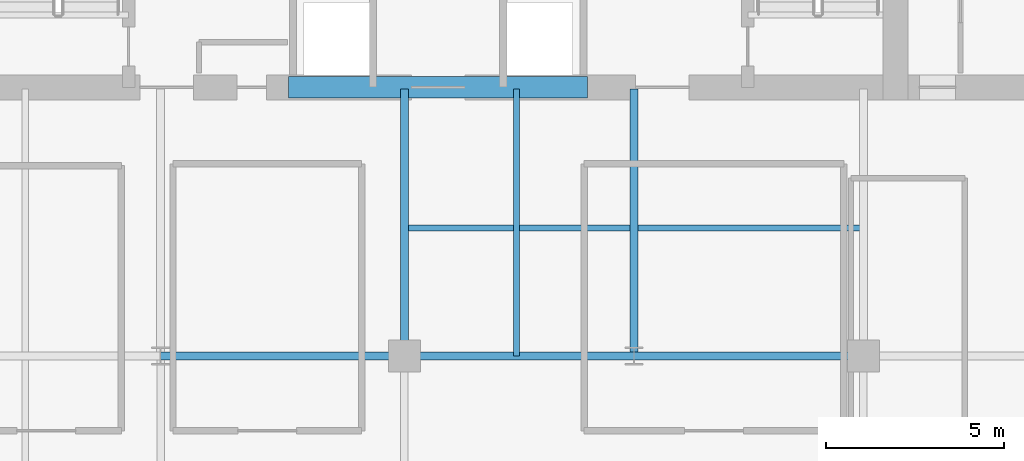
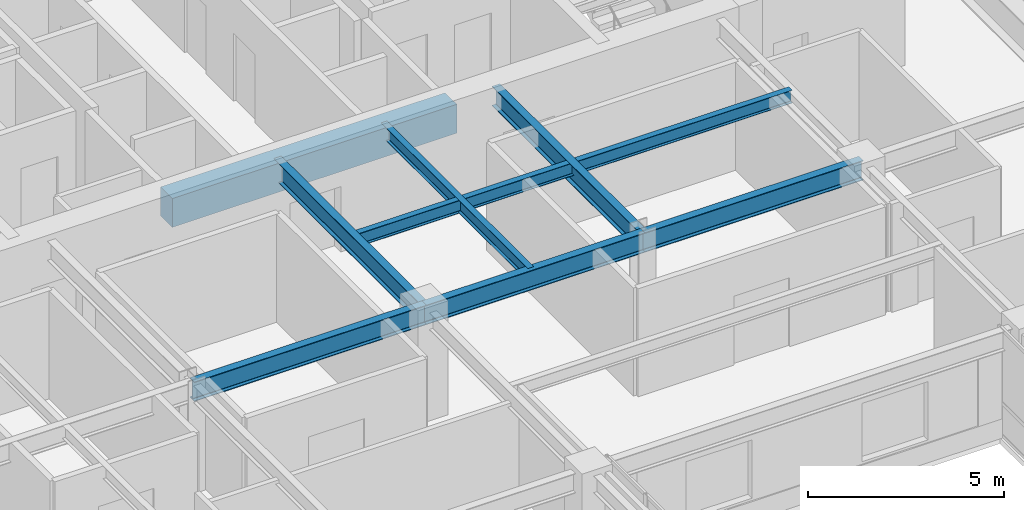
# One storey, part 6 of 25: 8 beams.
"""IFC4 building model written with IfcOpenShell, lengths in metres."""

from ifc_helpers import new_model, si_unit, direction, frame, origin, origin_2d, place, context, subcontext, project, spatial, rectangle, i_section, extrude, source, transform, mapped, material, material_profile, profile_set, type_object, type_shapes, element, save


model = new_model("IFC4")

# Units and contexts
model_context = context("Model", 3, precision=1e-05, world=origin(), true_north=direction((0.0, 1.0)))
body_context = subcontext(model_context, "Body", "Model", "MODEL_VIEW")
ifc_project = project(units=[si_unit("LENGTHUNIT", "METRE"), si_unit("AREAUNIT", "SQUARE_METRE"), si_unit("VOLUMEUNIT", "CUBIC_METRE"), si_unit("PLANEANGLEUNIT", "RADIAN"), si_unit("MASSUNIT", "GRAM", prefix="KILO")], contexts=[model_context])

# Site, building, storey
site_placement = place(None, origin())
site = spatial("IfcSite", under=ifc_project, at=site_placement, CompositionType="ELEMENT")
building_placement = place(site_placement, origin())
building = spatial("IfcBuilding", under=site, at=building_placement, Name="Tolvann Quenvar Hotel", CompositionType="ELEMENT")
storey_placement = place(building_placement, frame((0.0, 0.0, 132.85009765625)))
storey = spatial("IfcBuildingStorey", under=building, at=storey_placement, Name="L34", CompositionType="ELEMENT", Elevation=132.85009765625)

# Beams
ifc_material_1 = material(Name="Concrete N50 (50 MPa)", Category="concrete")
ifc_material_profile_1 = material_profile(ifc_material_1, rectangle(XDim=0.60009765625, YDim=0.89990234375, at=origin_2d()), Name="RC600x900")
ifc_profile_set_1 = profile_set([ifc_material_profile_1], Name="Concrete N50 (50 MPa)")
beam_type_1 = type_object("IfcBeamType", Name="BM_LINT_RC600x900", PredefinedType="LINTEL", material=ifc_profile_set_1)
shared_shape_1 = source(origin(), body_context, "Body", "SweptSolid", [
    extrude(rectangle(XDim=0.60009765625, YDim=0.89990234375, at=origin_2d()), origin(), (0.0, 0.0, 1.0), 8.39990234375),
])
type_shapes(beam_type_1, [shared_shape_1])
beam_1_placement = place(storey_placement, frame((18.800048828125, 31.949951171875, 2.919921875), z_axis=(1.0, 0.0, 0.0), x_axis=(0.0, 1.0, 0.0)))
element("IfcBeam", 1, at=beam_1_placement, inside=storey, type_object=beam_type_1, Name="Core Coupling Lintel Beam (L34)", PredefinedType="LINTEL", context=body_context, shape_type="MappedRepresentation", body=[
    mapped(shared_shape_1, transform((0.0, 0.0, 0.0), x_axis=(1.0, 0.0, 0.0), y_axis=(0.0, 1.0, 0.0), z_axis=(0.0, 0.0, 1.0), scale=1.0)),
])
ifc_material_2 = material(Name="Steel Grade 350", Category="steel")
ifc_material_profile_2 = material_profile(ifc_material_2, i_section(OverallWidth=0.22900390625, OverallDepth=0.612060546875, WebThickness=0.011962890625, FlangeThickness=0.01953125, FilletRadius=0.013916015625, at=origin_2d()), Name="610UB125")
ifc_profile_set_2 = profile_set([ifc_material_profile_2], Name="Steel Grade 350")
beam_type_2 = type_object("IfcBeamType", Name="BM_GIRD_610UB125", PredefinedType="BEAM", material=ifc_profile_set_2)
shared_shape_2 = source(origin(), body_context, "Body", "SweptSolid", [
    extrude(i_section(OverallWidth=0.22900390625, OverallDepth=0.612060546875, WebThickness=0.011962890625, FlangeThickness=0.01953125, FilletRadius=0.013916015625, at=origin_2d()), origin(), (0.0, 0.0, 1.0), 6.85009765625),
])
beam_2_placement = place(storey_placement, frame((15.199951171875, 24.39990234375, 3.06396484375), z_axis=(1.0, 0.0, 0.0), x_axis=(0.0, 1.0, 0.0)))
element("IfcBeam", 2, at=beam_2_placement, inside=storey, type_object=beam_type_2, Name="BM-L34-EW-5-D5-E5", PredefinedType="BEAM", context=body_context, shape_type="MappedRepresentation", body=[
    mapped(shared_shape_2, transform((0.0, 0.0, 0.0), x_axis=(1.0, 0.0, 0.0), y_axis=(0.0, 1.0, 0.0), z_axis=(0.0, 0.0, 1.0), scale=1.0)),
])
shared_shape_3 = source(origin(), body_context, "Body", "SweptSolid", [
    extrude(i_section(OverallWidth=0.22900390625, OverallDepth=0.612060546875, WebThickness=0.011962890625, FlangeThickness=0.01953125, FilletRadius=0.013916015625, at=origin_2d()), origin(), (0.0, 0.0, 1.0), 6.449951171875),
])
for number, where, z_axis, x_axis, name in (
    (3, (22.050048828125, 24.39990234375, 3.06396484375), (1.0, 0.0, 0.0), (0.0, 1.0, 0.0), "BM-L34-EW-5-E5-M5"),
    (4, (28.5, 24.39990234375, 3.06396484375), (1.0, 0.0, 0.0), (0.0, 1.0, 0.0), "BM-L34-EW-5-M5-F5"),
):
    element("IfcBeam", number, at=place(storey_placement, frame(where, z_axis=z_axis, x_axis=x_axis)), inside=storey, type_object=beam_type_2, Name=name, PredefinedType="BEAM", context=body_context, shape_type="MappedRepresentation", body=[
        mapped(shared_shape_3, transform((0.0, 0.0, 0.0), x_axis=(1.0, 0.0, 0.0), y_axis=(0.0, 1.0, 0.0), z_axis=(0.0, 0.0, 1.0), scale=1.0)),
    ])
shared_shape_4 = source(origin(), body_context, "Body", "SweptSolid", [
    extrude(i_section(OverallWidth=0.22900390625, OverallDepth=0.612060546875, WebThickness=0.011962890625, FlangeThickness=0.01953125, FilletRadius=0.013916015625, at=origin_2d()), origin(), (0.0, 0.0, 1.0), 7.5),
])
type_shapes(beam_type_2, [shared_shape_2, shared_shape_3, shared_shape_4])
for number, where, z_axis, x_axis, name in (
    (5, (22.050048828125, 24.39990234375, 3.06396484375), (0.0, 1.0, 0.0), (-1.0, 0.0, 0.0), "BM-L34-CORE-E5"),
    (6, (28.5, 24.39990234375, 3.06396484375), (0.0, 1.0, 0.0), (-1.0, 0.0, 0.0), "BM-L34-CORE-M5"),
):
    element("IfcBeam", number, at=place(storey_placement, frame(where, z_axis=z_axis, x_axis=x_axis)), inside=storey, type_object=beam_type_2, Name=name, PredefinedType="BEAM", context=body_context, shape_type="MappedRepresentation", body=[
        mapped(shared_shape_4, transform((0.0, 0.0, 0.0), x_axis=(1.0, 0.0, 0.0), y_axis=(0.0, 1.0, 0.0), z_axis=(0.0, 0.0, 1.0), scale=1.0)),
    ])
ifc_material_profile_3 = material_profile(ifc_material_2, i_section(OverallWidth=0.177978515625, OverallDepth=0.406005859375, WebThickness=0.0078125, FlangeThickness=0.0126953125, FilletRadius=0.011474609375, at=origin_2d()), Name="410UB60")
ifc_profile_set_3 = profile_set([ifc_material_profile_3], Name="Steel Grade 350")
beam_type_3 = type_object("IfcBeamType", Name="BM_JOIST_410UB60", PredefinedType="JOIST", material=ifc_profile_set_3)
shared_shape_5 = source(origin(), body_context, "Body", "SweptSolid", [
    extrude(i_section(OverallWidth=0.177978515625, OverallDepth=0.406005859375, WebThickness=0.0078125, FlangeThickness=0.0126953125, FilletRadius=0.011474609375, at=origin_2d()), origin(), (0.0, 0.0, 1.0), 12.89990234375),
])
beam_3_placement = place(storey_placement, frame((22.050048828125, 28.0, 3.1669921875), z_axis=(1.0, 0.0, 0.0), x_axis=(0.0, 1.0, 0.0)))
element("IfcBeam", 7, at=beam_3_placement, inside=storey, type_object=beam_type_3, Name="BM-L34-SPINE-28", PredefinedType="JOIST", context=body_context, shape_type="MappedRepresentation", body=[
    mapped(shared_shape_5, transform((0.0, 0.0, 0.0), x_axis=(1.0, 0.0, 0.0), y_axis=(0.0, 1.0, 0.0), z_axis=(0.0, 0.0, 1.0), scale=1.0)),
])
shared_shape_6 = source(origin(), body_context, "Body", "SweptSolid", [
    extrude(i_section(OverallWidth=0.177978515625, OverallDepth=0.406005859375, WebThickness=0.0078125, FlangeThickness=0.0126953125, FilletRadius=0.011474609375, at=origin_2d()), origin(), (0.0, 0.0, 1.0), 7.5),
])
type_shapes(beam_type_3, [shared_shape_5, shared_shape_6])
beam_4_placement = place(storey_placement, frame((25.199951171875, 24.39990234375, 3.1669921875), z_axis=(0.0, 1.0, 0.0), x_axis=(-1.0, 0.0, 0.0)))
element("IfcBeam", 8, at=beam_4_placement, inside=storey, type_object=beam_type_3, Name="BJ-L34-252-244", PredefinedType="JOIST", context=body_context, shape_type="MappedRepresentation", body=[
    mapped(shared_shape_6, transform((0.0, 0.0, 0.0), x_axis=(1.0, 0.0, 0.0), y_axis=(0.0, 1.0, 0.0), z_axis=(0.0, 0.0, 1.0), scale=1.0)),
])

save(model, "model.ifc")
